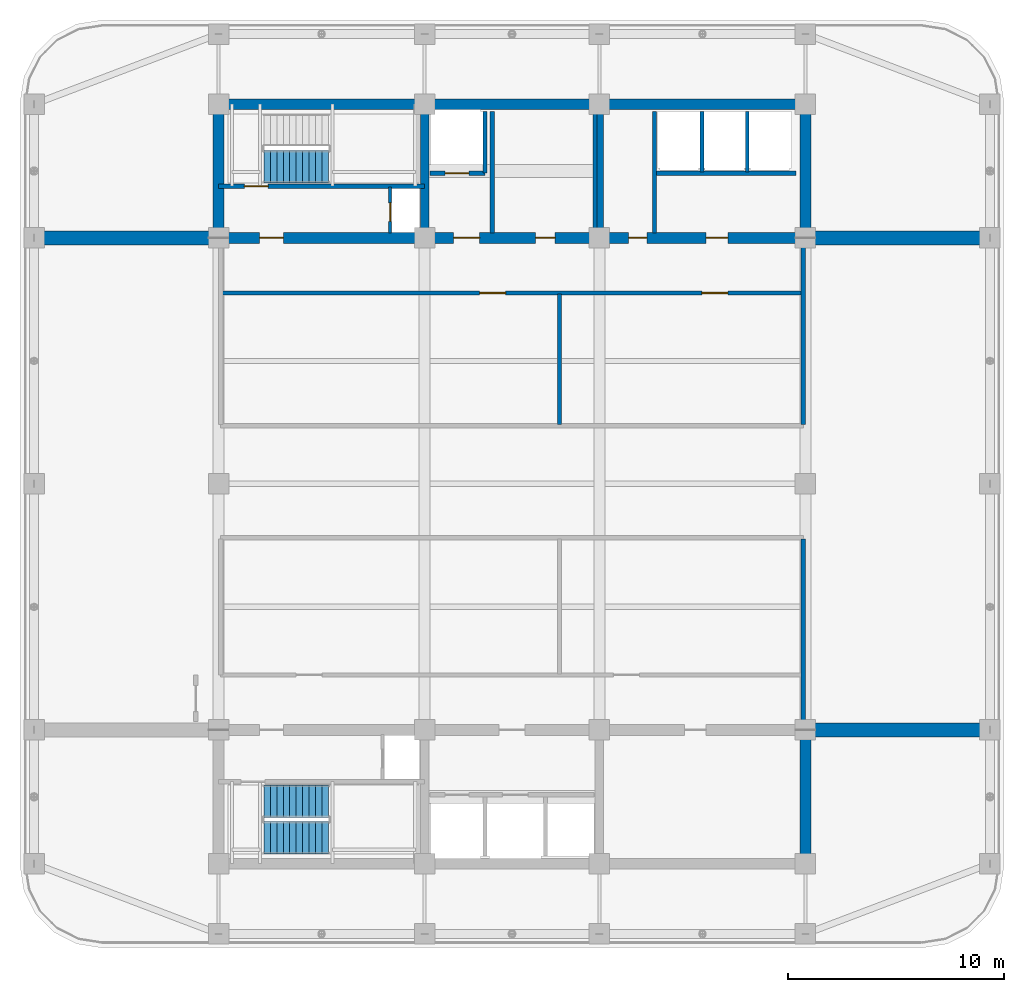
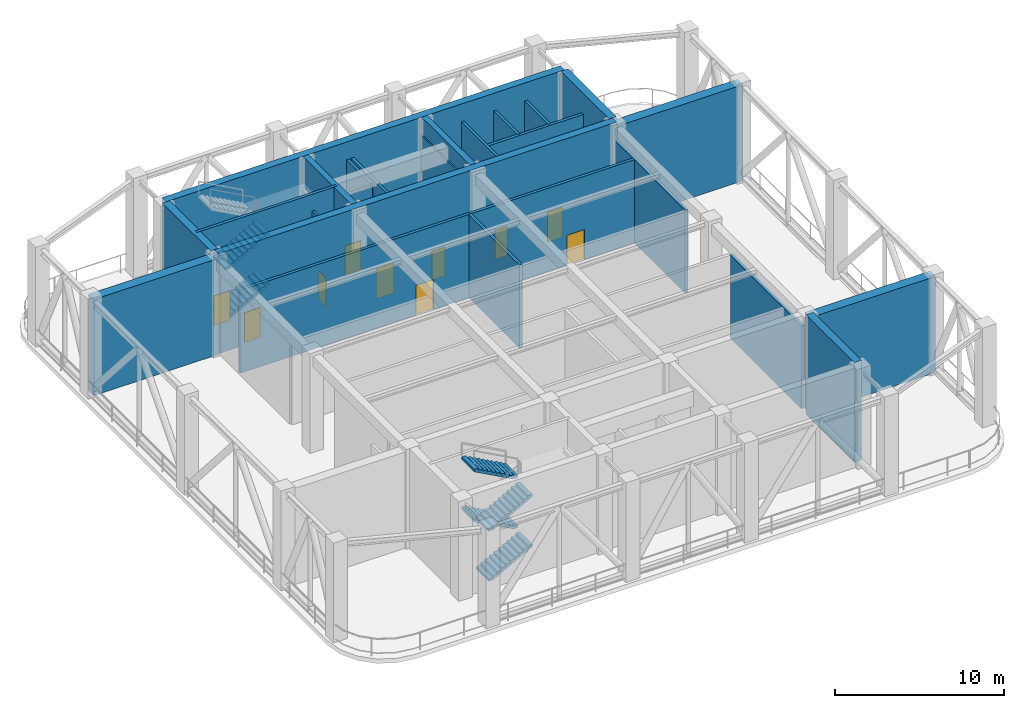
# One storey, part 10 of 20: 24 walls, 10 doors, 6 stair flights, 10 openings, 2 elements without a shape of their own.
"""IFC4 building model written with IfcOpenShell, lengths in metres."""

from ifc_helpers import new_model, si_unit, direction, frame, frame_2d, origin, place, context, subcontext, project, spatial, polyline, rectangle, outline, extrude, material, layer, layer_set, type_object, element, fill, aggregate, save


model = new_model("IFC4")

# Units and contexts
model_context = context("Model", 3, precision=1e-05, world=origin(), true_north=direction((0.0, 1.0)))
body_context = subcontext(model_context, "Body", "Model", "MODEL_VIEW")
ifc_project = project(units=[si_unit("LENGTHUNIT", "METRE"), si_unit("AREAUNIT", "SQUARE_METRE"), si_unit("VOLUMEUNIT", "CUBIC_METRE"), si_unit("PLANEANGLEUNIT", "RADIAN"), si_unit("MASSUNIT", "GRAM", prefix="KILO")], contexts=[model_context])

# Site, building, storey
site_placement = place(None, origin())
site = spatial("IfcSite", under=ifc_project, at=site_placement, CompositionType="ELEMENT")
building_placement = place(site_placement, origin())
building = spatial("IfcBuilding", under=site, at=building_placement, Name="Svetorya Sky Lyceum", CompositionType="ELEMENT")
storey_placement = place(building_placement, frame((0.0, 0.0, 195.89990234375)))
storey = spatial("IfcBuildingStorey", under=building, at=storey_placement, Name="L49", CompositionType="ELEMENT", Elevation=195.89990234375)

# Walls
ifc_material_1 = material(Name="Concrete C40/50", Category="concrete")
ifc_layer_1 = layer(ifc_material_1, 0.39990234375)
ifc_layer_set_1 = layer_set([ifc_layer_1], Name="Concrete C40/50")
wall_type_1 = type_object("IfcWallType", Name="WL-CORE-400", PredefinedType="SHEAR", material=ifc_layer_set_1)
for number, where, z_axis, x_axis, name in (
    (1, (35.14990234375, 39.85009765625, 0.0), (0.0, 0.0, 1.0), (0.0, 1.0, 0.0), "L49 NC Internal Shear Web WEB1"),
    (2, (43.25, 39.85009765625, 0.0), (0.0, 0.0, 1.0), (0.0, 1.0, 0.0), "L49 NC Internal Shear Web WEB2"),
):
    element("IfcWall", number, at=place(storey_placement, frame(where, z_axis=z_axis, x_axis=x_axis)), inside=storey, type_object=wall_type_1, Name=name, PredefinedType="SHEAR", context=body_context, shape_type="SweptSolid", body=[
        extrude(rectangle(XDim=5.699951171875, YDim=0.39990234375, at=frame_2d((2.85009765625, 0.0))), origin(), (0.0, 0.0, 1.0), 7.2001953125),
    ])
ifc_material_2 = material(Name="Concrete C50/60", Category="concrete")
ifc_layer_2 = layer(ifc_material_2, 0.5)
ifc_layer_set_2 = layer_set([ifc_layer_2], Name="Concrete C50/60")
wall_type_2 = type_object("IfcWallType", Name="WL-CORE-500", PredefinedType="SHEAR", material=ifc_layer_set_2)
wall_1_placement = place(storey_placement, frame((52.800048828125, 10.85009765625, 0.0), z_axis=(0.0, 0.0, 1.0), x_axis=(0.0, 1.0, 0.0)))
element("IfcWall", 3, at=wall_1_placement, inside=storey, type_object=wall_type_2, Name="L49 SC East Core Shear Wall", PredefinedType="SHEAR", context=body_context, shape_type="SweptSolid", body=[
    extrude(rectangle(XDim=5.699951171875, YDim=0.5, at=frame_2d((2.85009765625, 0.0))), origin(), (0.0, 0.0, 1.0), 7.2001953125),
])
wall_2_placement = place(storey_placement, frame((25.60009765625, 45.800048828125, 0.0), z_axis=(0.0, 0.0, 1.0), x_axis=(1.0, 0.0, 0.0)))
element("IfcWall", 4, at=wall_2_placement, inside=storey, type_object=wall_type_2, Name="L49 NC Outer Core Shear Wall", PredefinedType="SHEAR", context=body_context, shape_type="SweptSolid", body=[
    extrude(rectangle(XDim=27.199951171875, YDim=0.5, at=frame_2d((13.60009765625, 0.0))), origin(), (0.0, 0.0, 1.0), 7.2001953125),
])
for number, where, z_axis, x_axis, name in (
    (5, (25.60009765625, 39.85009765625, 0.0), (0.0, 0.0, 1.0), (0.0, 1.0, 0.0), "L49 NC West Core Shear Wall"),
    (6, (52.800048828125, 39.85009765625, 0.0), (0.0, 0.0, 1.0), (0.0, 1.0, 0.0), "L49 NC East Core Shear Wall"),
):
    element("IfcWall", number, at=place(storey_placement, frame(where, z_axis=z_axis, x_axis=x_axis)), inside=storey, type_object=wall_type_2, Name=name, PredefinedType="SHEAR", context=body_context, shape_type="SweptSolid", body=[
        extrude(rectangle(XDim=5.699951171875, YDim=0.5, at=frame_2d((2.85009765625, 0.0))), origin(), (0.0, 0.0, 1.0), 7.2001953125),
    ])

# Wall, openings, doors
wall_3_placement = place(storey_placement, frame((52.800048828125, 39.60009765625, 0.0), z_axis=(0.0, 0.0, 1.0), x_axis=(-1.0, 0.0, 0.0)))
wall_3 = element("IfcWall", 7, at=wall_3_placement, inside=storey, type_object=wall_type_2, Name="L49 NC Inner Core Shear Wall", PredefinedType="SHEAR", context=body_context, shape_type="SweptSolid", body=[
    extrude(rectangle(XDim=27.199951171875, YDim=0.5, at=frame_2d((13.60009765625, 0.0))), origin(), (0.0, 0.0, 1.0), 7.2001953125),
])
opening_1_placement = place(wall_3_placement, frame((24.199951171875, 0.0, 0.0)))
opening_1 = element("IfcOpeningElement", 8, at=opening_1_placement, cuts=wall_3, Name="Opening D-ST1", PredefinedType="OPENING", context=body_context, shape_type="SweptSolid", body=[
    extrude(rectangle(XDim=1.10009765625, YDim=2.14990234375, at=frame_2d((0.550048828125, 1.074951171875))), frame((0.0, 0.260009765625, 0.0), z_axis=(0.0, -1.0, 0.0), x_axis=(1.0, 0.0, 0.0)), (0.0, 0.0, 1.0), 0.52001953125),
])
opening_2_placement = place(wall_3_placement, frame((15.10009765625, 0.0, 0.0)))
opening_2 = element("IfcOpeningElement", 9, at=opening_2_placement, cuts=wall_3, Name="Opening D-FL1", PredefinedType="OPENING", context=body_context, shape_type="SweptSolid", body=[
    extrude(rectangle(XDim=1.199951171875, YDim=2.14990234375, at=frame_2d((0.60009765625, 1.074951171875))), frame((0.0, 0.260009765625, 0.0), z_axis=(0.0, -1.0, 0.0), x_axis=(1.0, 0.0, 0.0)), (0.0, 0.0, 1.0), 0.52001953125),
])
opening_3_placement = place(wall_3_placement, frame((11.60009765625, 0.0, 0.0)))
opening_3 = element("IfcOpeningElement", 10, at=opening_3_placement, cuts=wall_3, Name="Opening D-RM1", PredefinedType="OPENING", context=body_context, shape_type="SweptSolid", body=[
    extrude(rectangle(XDim=0.89990234375, YDim=2.10009765625, at=frame_2d((0.449951171875, 1.050048828125))), frame((0.0, 0.260009765625, 0.0), z_axis=(0.0, -1.0, 0.0), x_axis=(1.0, 0.0, 0.0)), (0.0, 0.0, 1.0), 0.52001953125),
])
opening_4_placement = place(wall_3_placement, frame((7.35009765625, 0.0, 0.0)))
opening_4 = element("IfcOpeningElement", 11, at=opening_4_placement, cuts=wall_3, Name="Opening D-CWC1", PredefinedType="OPENING", context=body_context, shape_type="SweptSolid", body=[
    extrude(rectangle(XDim=0.85009765625, YDim=2.10009765625, at=frame_2d((0.425048828125, 1.050048828125))), frame((0.0, 0.260009765625, 0.0), z_axis=(0.0, -1.0, 0.0), x_axis=(1.0, 0.0, 0.0)), (0.0, 0.0, 1.0), 0.52001953125),
])
opening_5_placement = place(wall_3_placement, frame((3.60009765625, 0.0, 0.0)))
opening_5 = element("IfcOpeningElement", 12, at=opening_5_placement, cuts=wall_3, Name="Opening D-RM2", PredefinedType="OPENING", context=body_context, shape_type="SweptSolid", body=[
    extrude(rectangle(XDim=1.0, YDim=2.14990234375, at=frame_2d((0.5, 1.074951171875))), frame((0.0, 0.260009765625, 0.0), z_axis=(0.0, -1.0, 0.0), x_axis=(1.0, 0.0, 0.0)), (0.0, 0.0, 1.0), 0.52001953125),
])
ifc_material_3 = material(Name="Fire-rated galvanized steel core service closet door", Category="steel")
door_type_1 = type_object("IfcDoorType", Name="DR-CWET-850", OperationType="SINGLE_SWING_LEFT", PredefinedType="DOOR", material=ifc_material_3)
door_1_placement = place(opening_4_placement, origin())
door_1 = element("IfcDoor", 13, at=door_1_placement, inside=storey, type_object=door_type_1, Name="L49 High-Zone Utility Room Door", OperationType="SINGLE_SWING_LEFT", OverallHeight=2.10009765625, OverallWidth=0.85009765625, PredefinedType="DOOR", context=body_context, shape_type="SweptSolid", body=[
    extrude(rectangle(XDim=0.85009765625, YDim=2.10009765625, at=frame_2d((0.425048828125, 1.050048828125))), frame((0.0, 0.02490234375, 0.0), z_axis=(0.0, -1.0, 0.0), x_axis=(1.0, 0.0, 0.0)), (0.0, 0.0, 1.0), 0.050048828125),
])
fill(opening_4, door_1)
ifc_material_4 = material(Name="Powder-coated insulated galvanized stair fire door")
door_type_2 = type_object("IfcDoorType", Name="DR-FIRE-1100", OperationType="SINGLE_SWING_LEFT", PredefinedType="DOOR", material=ifc_material_4)
door_2_placement = place(opening_1_placement, origin())
door_2 = element("IfcDoor", 14, at=door_2_placement, inside=storey, type_object=door_type_2, Name="L49 North Stair Airlock Door", OperationType="SINGLE_SWING_LEFT", OverallHeight=2.14990234375, OverallWidth=1.10009765625, PredefinedType="DOOR", context=body_context, shape_type="SweptSolid", body=[
    extrude(rectangle(XDim=1.10009765625, YDim=2.14990234375, at=frame_2d((0.550048828125, 1.074951171875))), frame((0.0, 0.02490234375, 0.0), z_axis=(0.0, -1.0, 0.0), x_axis=(1.0, 0.0, 0.0)), (0.0, 0.0, 1.0), 0.050048828125),
])
fill(opening_1, door_2)
ifc_material_5 = material(Name="Powder-coated insulated galvanized fire door")
door_type_3 = type_object("IfcDoorType", Name="DR-FIRE-1200", OperationType="SINGLE_SWING_LEFT", PredefinedType="DOOR", material=ifc_material_5)
door_3_placement = place(opening_2_placement, origin())
door_3 = element("IfcDoor", 15, at=door_3_placement, inside=storey, type_object=door_type_3, Name="L49 North Firefighting Lift Lobby Door", OperationType="SINGLE_SWING_RIGHT", OverallHeight=2.14990234375, OverallWidth=1.199951171875, PredefinedType="DOOR", context=body_context, shape_type="SweptSolid", body=[
    extrude(rectangle(XDim=1.199951171875, YDim=2.14990234375, at=frame_2d((0.60009765625, 1.074951171875))), frame((0.0, 0.02490234375, 0.0), z_axis=(0.0, -1.0, 0.0), x_axis=(1.0, 0.0, 0.0)), (0.0, 0.0, 1.0), 0.050048828125),
])
fill(opening_2, door_3)
ifc_material_6 = material(Name="Solid-core oak acoustic room door")
door_type_4 = type_object("IfcDoorType", Name="DR-INT-1000", OperationType="SINGLE_SWING_LEFT", PredefinedType="DOOR", material=ifc_material_6)
door_4_placement = place(opening_5_placement, origin())
door_4 = element("IfcDoor", 16, at=door_4_placement, inside=storey, type_object=door_type_4, Name="L49 North Trunk Store Door", OperationType="SINGLE_SWING_LEFT", OverallHeight=2.14990234375, OverallWidth=1.0, PredefinedType="DOOR", context=body_context, shape_type="SweptSolid", body=[
    extrude(rectangle(XDim=1.0, YDim=2.14990234375, at=frame_2d((0.5, 1.074951171875))), frame((0.0, 0.02490234375, 0.0), z_axis=(0.0, -1.0, 0.0), x_axis=(1.0, 0.0, 0.0)), (0.0, 0.0, 1.0), 0.050048828125),
])
fill(opening_5, door_4)
ifc_material_7 = material(Name="Lacquered birch veneer internal door")
door_type_5 = type_object("IfcDoorType", Name="DR-INT-900", OperationType="SINGLE_SWING_LEFT", PredefinedType="DOOR", material=ifc_material_7)
door_5_placement = place(opening_3_placement, origin())
door_5 = element("IfcDoor", 17, at=door_5_placement, inside=storey, type_object=door_type_5, Name="L49 Upper Archive Door", OperationType="SINGLE_SWING_LEFT", OverallHeight=2.10009765625, OverallWidth=0.89990234375, PredefinedType="DOOR", context=body_context, shape_type="SweptSolid", body=[
    extrude(rectangle(XDim=0.89990234375, YDim=2.10009765625, at=frame_2d((0.449951171875, 1.050048828125))), frame((0.0, 0.02490234375, 0.0), z_axis=(0.0, -1.0, 0.0), x_axis=(1.0, 0.0, 0.0)), (0.0, 0.0, 1.0), 0.050048828125),
])
fill(opening_3, door_5)

# Walls
ifc_material_8 = material(Name="Concrete C60/75", Category="concrete")
ifc_layer_3 = layer(ifc_material_8, 0.64990234375)
ifc_layer_set_3 = layer_set([ifc_layer_3], Name="Concrete C60/75")
wall_type_3 = type_object("IfcWallType", Name="WL-OUTRIGGER-650", PredefinedType="SHEAR", material=ifc_layer_set_3)
for number, where, z_axis, x_axis, name in (
    (18, (52.800048828125, 16.800048828125, 0.0), (0.0, 0.0, 1.0), (1.0, 0.0, 0.0), "L49 Concrete Outrigger Wall SE"),
    (19, (17.050048828125, 39.60009765625, 0.0), (0.0, 0.0, 1.0), (1.0, 0.0, 0.0), "L49 Concrete Outrigger Wall NW"),
    (20, (52.800048828125, 39.60009765625, 0.0), (0.0, 0.0, 1.0), (1.0, 0.0, 0.0), "L49 Concrete Outrigger Wall NE"),
):
    element("IfcWall", number, at=place(storey_placement, frame(where, z_axis=z_axis, x_axis=x_axis)), inside=storey, type_object=wall_type_3, Name=name, PredefinedType="SHEAR", context=body_context, shape_type="SweptSolid", body=[
        extrude(rectangle(XDim=8.550048828125, YDim=0.64990234375, at=frame_2d((4.27490234375, 0.0))), origin(), (0.0, 0.0, 1.0), 6.940185546875),
    ])

# Wall, opening, door
ifc_material_9 = material(Name="Autoclaved cellular masonry blockwork with acoustic render", Category="masonry")
ifc_layer_4 = layer(ifc_material_9, 0.14990234375)
ifc_layer_set_4 = layer_set([ifc_layer_4], Name="Autoclaved cellular masonry blockwork with acoustic render")
wall_type_4 = type_object("IfcWallType", Name="WL-PART-150", PredefinedType="PARTITIONING", material=ifc_layer_set_4)
wall_4_placement = place(storey_placement, frame((33.550048828125, 39.820068359375, 0.0), z_axis=(0.0, 0.0, 1.0), x_axis=(0.0, 1.0, 0.0)))
wall_4 = element("IfcWall", 21, at=wall_4_placement, inside=storey, type_object=wall_type_4, Name="L49 Interior Partition NC-RSRW", PredefinedType="PARTITIONING", context=body_context, shape_type="SweptSolid", body=[
    extrude(rectangle(XDim=2.1298828125, YDim=0.14990234375, at=frame_2d((1.06494140625, 0.0))), origin(), (0.0, 0.0, 1.0), 6.0),
])
opening_6_placement = place(wall_4_placement, frame((0.550048828125, 0.0, 0.0)))
opening_6 = element("IfcOpeningElement", 22, at=opening_6_placement, cuts=wall_4, Name="Opening D-SH1", PredefinedType="OPENING", context=body_context, shape_type="SweptSolid", body=[
    extrude(rectangle(XDim=0.85009765625, YDim=2.050048828125, at=frame_2d((0.425048828125, 1.02490234375))), frame((0.0, 0.0849609375, 0.0), z_axis=(0.0, -1.0, 0.0), x_axis=(1.0, 0.0, 0.0)), (0.0, 0.0, 1.0), 0.169921875),
])
ifc_material_10 = material(Name="Insulated galvanized riser inspection fire door")
door_type_6 = type_object("IfcDoorType", Name="DR-SHFT-850", OperationType="SINGLE_SWING_LEFT", PredefinedType="TRAPDOOR", material=ifc_material_10)
door_6_placement = place(opening_6_placement, origin())
door_6 = element("IfcDoor", 23, at=door_6_placement, inside=storey, type_object=door_type_6, Name="L49 North Riser Access Door", OperationType="SINGLE_SWING_LEFT", OverallHeight=2.050048828125, OverallWidth=0.85009765625, PredefinedType="TRAPDOOR", context=body_context, shape_type="SweptSolid", body=[
    extrude(rectangle(XDim=0.85009765625, YDim=2.050048828125, at=frame_2d((0.425048828125, 1.02490234375))), frame((0.0, 0.02490234375, 0.0), z_axis=(0.0, -1.0, 0.0), x_axis=(1.0, 0.0, 0.0)), (0.0, 0.0, 1.0), 0.050048828125),
])
fill(opening_6, door_6)

# Walls
ifc_material_11 = material(Name="Autoclaved cellular masonry blockwork with fire render", Category="masonry")
ifc_layer_5 = layer(ifc_material_11, 0.175048828125)
ifc_layer_set_5 = layer_set([ifc_layer_5], Name="Autoclaved cellular masonry blockwork with fire render")
wall_type_5 = type_object("IfcWallType", Name="WL-PART-175", PredefinedType="PARTITIONING", material=ifc_layer_set_5)
wall_5_placement = place(storey_placement, frame((37.949951171875, 42.60009765625, 0.0), z_axis=(0.0, 0.0, 1.0), x_axis=(0.0, 1.0, 0.0)))
element("IfcWall", 24, at=wall_5_placement, inside=storey, type_object=wall_type_5, Name="L49 Interior Partition NC-FL1SIDE", PredefinedType="PARTITIONING", context=body_context, shape_type="SweptSolid", body=[
    extrude(rectangle(XDim=2.849853515625, YDim=0.175048828125, at=frame_2d((1.4248046875, 0.0))), origin(), (0.0, 0.0, 1.0), 6.0),
])
for number, where, z_axis, x_axis, name in (
    (25, (43.050048828125, 39.820068359375, 0.0), (0.0, 0.0, 1.0), (0.0, 1.0, 0.0), "L49 Interior Partition NC-FPM-END"),
    (26, (45.800048828125, 39.820068359375, 0.0), (0.0, 0.0, 1.0), (0.0, 1.0, 0.0), "L49 Interior Partition NC-PM3-FULL"),
):
    element("IfcWall", number, at=place(storey_placement, frame(where, z_axis=z_axis, x_axis=x_axis)), inside=storey, type_object=wall_type_5, Name=name, PredefinedType="PARTITIONING", context=body_context, shape_type="SweptSolid", body=[
        extrude(rectangle(XDim=5.6298828125, YDim=0.175048828125, at=frame_2d((2.81494140625, 0.0))), origin(), (0.0, 0.0, 1.0), 6.0),
    ])
for number, where, z_axis, x_axis, name in (
    (27, (48.0, 42.64990234375, 0.0), (0.0, 0.0, 1.0), (0.0, 1.0, 0.0), "L49 Interior Partition NC-PH-D1"),
    (28, (50.10009765625, 42.64990234375, 0.0), (0.0, 0.0, 1.0), (0.0, 1.0, 0.0), "L49 Interior Partition NC-PH-D2"),
):
    element("IfcWall", number, at=place(storey_placement, frame(where, z_axis=z_axis, x_axis=x_axis)), inside=storey, type_object=wall_type_5, Name=name, PredefinedType="PARTITIONING", context=body_context, shape_type="SweptSolid", body=[
        extrude(rectangle(XDim=2.800048828125, YDim=0.175048828125, at=frame_2d((1.39990234375, 0.0))), origin(), (0.0, 0.0, 1.0), 6.0),
    ])

# Wall, opening, door
ifc_material_12 = material(Name="Autoclaved cellular masonry blockwork with gypsum plaster", Category="masonry")
ifc_layer_6 = layer(ifc_material_12, 0.199951171875)
ifc_layer_set_6 = layer_set([ifc_layer_6], Name="Autoclaved cellular masonry blockwork with gypsum plaster")
wall_type_6 = type_object("IfcWallType", Name="WL-PART-200", PredefinedType="PARTITIONING", material=ifc_layer_set_6)
wall_6_placement = place(storey_placement, frame((37.949951171875, 42.60009765625, 0.0), z_axis=(0.0, 0.0, 1.0), x_axis=(-1.0, 0.0, 0.0)))
wall_6 = element("IfcWall", 29, at=wall_6_placement, inside=storey, type_object=wall_type_6, Name="L49 Interior Partition NC-FL1W", PredefinedType="PARTITIONING", context=body_context, shape_type="SweptSolid", body=[
    extrude(rectangle(XDim=2.550048828125, YDim=0.199951171875, at=frame_2d((1.27490234375, 0.0))), origin(), (0.0, 0.0, 1.0), 5.820068359375),
])
opening_7_placement = place(wall_6_placement, frame((0.75, 0.0, 0.0)))
opening_7 = element("IfcOpeningElement", 30, at=opening_7_placement, cuts=wall_6, Name="Opening LD-FL", PredefinedType="OPENING", context=body_context, shape_type="SweptSolid", body=[
    extrude(rectangle(XDim=1.10009765625, YDim=2.14990234375, at=frame_2d((0.550048828125, 1.074951171875))), frame((0.0, 0.10986328125, 0.0), z_axis=(0.0, -1.0, 0.0), x_axis=(1.0, 0.0, 0.0)), (0.0, 0.0, 1.0), 0.219970703125),
])
ifc_material_13 = material(Name="Fire-rated stainless AISI 304 firefighting lift landing door")
door_type_7 = type_object("IfcDoorType", Name="DR-LIFT-1100", OperationType="SLIDING_TO_LEFT", PredefinedType="DOOR", material=ifc_material_13)
door_7_placement = place(opening_7_placement, origin())
door_7 = element("IfcDoor", 31, at=door_7_placement, inside=storey, type_object=door_type_7, Name="L49 Firefighting Lift FL1 Landing Door", OperationType="SLIDING_TO_LEFT", OverallHeight=2.14990234375, OverallWidth=1.10009765625, PredefinedType="DOOR", context=body_context, shape_type="SweptSolid", body=[
    extrude(rectangle(XDim=1.10009765625, YDim=2.14990234375, at=frame_2d((0.550048828125, 1.074951171875))), frame((0.0, 0.02490234375, 0.0), z_axis=(0.0, -1.0, 0.0), x_axis=(1.0, 0.0, 0.0)), (0.0, 0.0, 1.0), 0.050048828125),
])
fill(opening_7, door_7)

# Walls
wall_7_placement = place(storey_placement, frame((38.280029296875, 39.820068359375, 0.0), z_axis=(0.0, 0.0, 1.0), x_axis=(0.0, 1.0, 0.0)))
element("IfcWall", 32, at=wall_7_placement, inside=storey, type_object=wall_type_6, Name="L49 Interior Partition NC-FFLDIV", PredefinedType="PARTITIONING", context=body_context, shape_type="SweptSolid", body=[
    extrude(rectangle(XDim=5.6298828125, YDim=0.199951171875, at=frame_2d((2.81494140625, 0.0))), origin(), (0.0, 0.0, 1.0), 6.0),
])
wall_8_placement = place(storey_placement, frame((52.35009765625, 42.60009765625, 0.0), z_axis=(0.0, 0.0, 1.0), x_axis=(-1.0, 0.0, 0.0)))
element("IfcWall", 33, at=wall_8_placement, inside=storey, type_object=wall_type_6, Name="L49 Interior Partition NC-PHEW", PredefinedType="PARTITIONING", context=body_context, shape_type="SweptSolid", body=[
    extrude(rectangle(XDim=6.5, YDim=0.199951171875, at=frame_2d((3.25, 0.0))), origin(), (0.0, 0.0, 1.0), 6.0),
])
wall_9_placement = place(storey_placement, frame((52.699951171875, 17.199951171875, 0.0), z_axis=(0.0, 0.0, 1.0), x_axis=(0.0, 1.0, 0.0)))
element("IfcWall", 34, at=wall_9_placement, inside=storey, type_object=wall_type_6, Name="L49 Interior Partition REF-E-END", PredefinedType="PARTITIONING", context=body_context, shape_type="SweptSolid", body=[
    extrude(rectangle(XDim=8.449951171875, YDim=0.199951171875, at=frame_2d((4.22509765625, 0.0))), origin(), (0.0, 0.0, 1.0), 6.0),
])

# Wall, openings, doors
wall_10_placement = place(storey_placement, frame((52.699951171875, 37.050048828125, 0.0), z_axis=(0.0, 0.0, 1.0), x_axis=(-1.0, 0.0, 0.0)))
wall_10 = element("IfcWall", 35, at=wall_10_placement, inside=storey, type_object=wall_type_6, Name="L49 Interior Partition PLT-N-IN", PredefinedType="PARTITIONING", context=body_context, shape_type="SweptSolid", body=[
    extrude(rectangle(XDim=27.0, YDim=0.199951171875, at=frame_2d((13.5, 0.0))), origin(), (0.0, 0.0, 1.0), 6.0),
])
opening_8_placement = place(wall_10_placement, frame((3.5, 0.0, 0.0)))
opening_8 = element("IfcOpeningElement", 36, at=opening_8_placement, cuts=wall_10, Name="Opening D-FL1", PredefinedType="OPENING", context=body_context, shape_type="SweptSolid", body=[
    extrude(rectangle(XDim=1.199951171875, YDim=2.14990234375, at=frame_2d((0.60009765625, 1.074951171875))), frame((0.0, 0.10986328125, 0.0), z_axis=(0.0, -1.0, 0.0), x_axis=(1.0, 0.0, 0.0)), (0.0, 0.0, 1.0), 0.219970703125),
])
opening_9_placement = place(wall_10_placement, frame((13.800048828125, 0.0, 0.0)))
opening_9 = element("IfcOpeningElement", 37, at=opening_9_placement, cuts=wall_10, Name="Opening D-FL1", PredefinedType="OPENING", context=body_context, shape_type="SweptSolid", body=[
    extrude(rectangle(XDim=1.199951171875, YDim=2.14990234375, at=frame_2d((0.60009765625, 1.074951171875))), frame((0.0, 0.10986328125, 0.0), z_axis=(0.0, -1.0, 0.0), x_axis=(1.0, 0.0, 0.0)), (0.0, 0.0, 1.0), 0.219970703125),
])
door_8_placement = place(opening_8_placement, origin())
door_8 = element("IfcDoor", 38, at=door_8_placement, inside=storey, type_object=door_type_3, Name="L49 Smoke Plant Door", OperationType="SINGLE_SWING_LEFT", OverallHeight=2.14990234375, OverallWidth=1.199951171875, PredefinedType="DOOR", context=body_context, shape_type="SweptSolid", body=[
    extrude(rectangle(XDim=1.199951171875, YDim=2.14990234375, at=frame_2d((0.60009765625, 1.074951171875))), frame((0.0, 0.02490234375, 0.0), z_axis=(0.0, -1.0, 0.0), x_axis=(1.0, 0.0, 0.0)), (0.0, 0.0, 1.0), 0.050048828125),
])
fill(opening_8, door_8)
door_9_placement = place(opening_9_placement, origin())
door_9 = element("IfcDoor", 39, at=door_9_placement, inside=storey, type_object=door_type_3, Name="L49 Heat Exchanger Door", OperationType="SINGLE_SWING_RIGHT", OverallHeight=2.14990234375, OverallWidth=1.199951171875, PredefinedType="DOOR", context=body_context, shape_type="SweptSolid", body=[
    extrude(rectangle(XDim=1.199951171875, YDim=2.14990234375, at=frame_2d((0.60009765625, 1.074951171875))), frame((0.0, 0.02490234375, 0.0), z_axis=(0.0, -1.0, 0.0), x_axis=(1.0, 0.0, 0.0)), (0.0, 0.0, 1.0), 0.050048828125),
])
fill(opening_9, door_9)

# Walls
wall_11_placement = place(storey_placement, frame((41.39990234375, 30.949951171875, 0.0), z_axis=(0.0, 0.0, 1.0), x_axis=(0.0, 1.0, 0.0)))
element("IfcWall", 40, at=wall_11_placement, inside=storey, type_object=wall_type_6, Name="L49 Interior Partition PLT-N-MID", PredefinedType="PARTITIONING", context=body_context, shape_type="SweptSolid", body=[
    extrude(rectangle(XDim=6.050048828125, YDim=0.199951171875, at=frame_2d((3.02490234375, 0.0))), origin(), (0.0, 0.0, 1.0), 6.0),
])
wall_12_placement = place(storey_placement, frame((52.699951171875, 30.949951171875, 0.0), z_axis=(0.0, 0.0, 1.0), x_axis=(0.0, 1.0, 0.0)))
element("IfcWall", 41, at=wall_12_placement, inside=storey, type_object=wall_type_6, Name="L49 Interior Partition PLT-NE-END", PredefinedType="PARTITIONING", context=body_context, shape_type="SweptSolid", body=[
    extrude(rectangle(XDim=8.25, YDim=0.199951171875, at=frame_2d((4.125, 0.0))), origin(), (0.0, 0.0, 1.0), 6.0),
])

# Wall, opening, door
ifc_layer_7 = layer(ifc_material_2, 0.199951171875)
ifc_layer_set_7 = layer_set([ifc_layer_7], Name="Concrete C50/60")
wall_type_7 = type_object("IfcWallType", Name="WL-SHW-200", PredefinedType="SHEAR", material=ifc_layer_set_7)
wall_13_placement = place(storey_placement, frame((35.14990234375, 42.0, 0.0), z_axis=(0.0, 0.0, 1.0), x_axis=(-1.0, 0.0, 0.0)))
wall_13 = element("IfcWall", 42, at=wall_13_placement, inside=storey, type_object=wall_type_7, Name="L49 Structural Stair Shaft Wall NC-STW", PredefinedType="SHEAR", context=body_context, shape_type="SweptSolid", body=[
    extrude(rectangle(XDim=9.5498046875, YDim=0.199951171875, at=frame_2d((4.77490234375, 0.0))), origin(), (0.0, 0.0, 1.0), 7.2001953125),
])
opening_10_placement = place(wall_13_placement, frame((7.25, 0.0, 0.0)))
opening_10 = element("IfcOpeningElement", 43, at=opening_10_placement, cuts=wall_13, Name="Opening D-ST1", PredefinedType="OPENING", context=body_context, shape_type="SweptSolid", body=[
    extrude(rectangle(XDim=1.10009765625, YDim=2.14990234375, at=frame_2d((0.550048828125, 1.074951171875))), frame((0.0, 0.10986328125, 0.0), z_axis=(0.0, -1.0, 0.0), x_axis=(1.0, 0.0, 0.0)), (0.0, 0.0, 1.0), 0.219970703125),
])
door_10_placement = place(opening_10_placement, origin())
door_10 = element("IfcDoor", 44, at=door_10_placement, inside=storey, type_object=door_type_2, Name="L49 Stair ST-N Vestibule Fire Door", OperationType="SINGLE_SWING_RIGHT", OverallHeight=2.14990234375, OverallWidth=1.10009765625, PredefinedType="DOOR", context=body_context, shape_type="SweptSolid", body=[
    extrude(rectangle(XDim=1.10009765625, YDim=2.14990234375, at=frame_2d((0.550048828125, 1.074951171875))), frame((0.0, 0.02490234375, 0.0), z_axis=(0.0, -1.0, 0.0), x_axis=(1.0, 0.0, 0.0)), (0.0, 0.0, 1.0), 0.050048828125),
])
fill(opening_10, door_10)

# Stair, stair flights
stair_type_1 = type_object("IfcStairType", Name="STR-ST-N", PredefinedType="HALF_TURN_STAIR", material=ifc_material_1)
stair_1_placement = place(storey_placement, origin())
stair_1 = element("IfcStair", 45, at=stair_1_placement, inside=storey, type_object=stair_type_1, Name="L49 North Core Smoke-Free Exit Stair N3", PredefinedType="HALF_TURN_STAIR")
stair_flight_type_1 = type_object("IfcStairFlightType", Name="SFL-ST-N", PredefinedType="STRAIGHT", material=ifc_material_1)
stair_flight_1_placement = place(storey_placement, frame((27.699951171875, 42.89990234375, 0.0), z_axis=(0.0, 0.0, 1.0), x_axis=(1.0, 0.0, 0.0)))
stair_flight_1 = element("IfcStairFlight", 46, at=stair_flight_1_placement, type_object=stair_flight_type_1, Name="ST-N flight 1", NumberOfRisers=11, NumberOfTreads=10, PredefinedType="STRAIGHT", RiserHeight=0.163636364, TreadLength=0.3, context=body_context, shape_type="SweptSolid", body=[
    extrude(outline(polyline([(0.0, 0.0), (0.0, 0.16357421875), (0.300048828125, 0.16357421875), (0.300048828125, 0.327392578125), (0.60009765625, 0.327392578125), (0.60009765625, 0.490966796875), (0.89990234375, 0.490966796875), (0.89990234375, 0.654541015625), (1.199951171875, 0.654541015625), (1.199951171875, 0.818115234375), (1.5, 0.818115234375), (1.5, 0.98193359375), (1.800048828125, 0.98193359375), (1.800048828125, 1.1455078125), (2.10009765625, 1.1455078125), (2.10009765625, 1.30908203125), (2.39990234375, 1.30908203125), (2.39990234375, 1.47265625), (2.699951171875, 1.47265625), (2.699951171875, 1.636474609375), (3.0, 1.636474609375), (3.0, 1.800048828125), (3.0, 1.465576171875), (0.31298828125, 0.0), (0.0, 0.0)])), frame((0.0, 0.75, 0.0), z_axis=(0.0, -1.0, 0.0), x_axis=(1.0, 0.0, 0.0)), (0.0, 0.0, 1.0), 1.5),
])
stair_flight_2_placement = place(storey_placement, frame((27.699951171875, 42.89990234375, 3.60009765625), z_axis=(0.0, 0.0, 1.0), x_axis=(1.0, 0.0, 0.0)))
stair_flight_2 = element("IfcStairFlight", 47, at=stair_flight_2_placement, type_object=stair_flight_type_1, Name="ST-N flight 3", NumberOfRisers=11, NumberOfTreads=10, PredefinedType="STRAIGHT", RiserHeight=0.163636364, TreadLength=0.3, context=body_context, shape_type="SweptSolid", body=[
    extrude(outline(polyline([(0.0, 0.0), (0.0, 0.16357421875), (0.300048828125, 0.16357421875), (0.300048828125, 0.327392578125), (0.60009765625, 0.327392578125), (0.60009765625, 0.490966796875), (0.89990234375, 0.490966796875), (0.89990234375, 0.654541015625), (1.199951171875, 0.654541015625), (1.199951171875, 0.818115234375), (1.5, 0.818115234375), (1.5, 0.98193359375), (1.800048828125, 0.98193359375), (1.800048828125, 1.1455078125), (2.10009765625, 1.1455078125), (2.10009765625, 1.30908203125), (2.39990234375, 1.30908203125), (2.39990234375, 1.47265625), (2.699951171875, 1.47265625), (2.699951171875, 1.636474609375), (3.0, 1.636474609375), (3.0, 1.800048828125), (3.0, 1.465576171875), (0.31298828125, 0.0), (0.0, 0.0)])), frame((0.0, 0.75, 0.0), z_axis=(0.0, -1.0, 0.0), x_axis=(1.0, 0.0, 0.0)), (0.0, 0.0, 1.0), 1.5),
])
aggregate(stair_1, [stair_flight_1, stair_flight_2])

stair_type_2 = type_object("IfcStairType", Name="STR-ST-S", PredefinedType="HALF_TURN_STAIR", material=ifc_material_1)
stair_2_placement = place(storey_placement, origin())
stair_2 = element("IfcStair", 48, at=stair_2_placement, inside=storey, type_object=stair_type_2, Name="L49 South Core Smoke-Free Exit Stair N2", PredefinedType="HALF_TURN_STAIR")
stair_flight_type_2 = type_object("IfcStairFlightType", Name="SFL-ST-S", PredefinedType="STRAIGHT", material=ifc_material_1)
stair_flight_3_placement = place(storey_placement, frame((27.699951171875, 11.800048828125, 0.0), z_axis=(0.0, 0.0, 1.0), x_axis=(1.0, 0.0, 0.0)))
stair_flight_3 = element("IfcStairFlight", 49, at=stair_flight_3_placement, type_object=stair_flight_type_2, Name="ST-S flight 1", NumberOfRisers=11, NumberOfTreads=10, PredefinedType="STRAIGHT", RiserHeight=0.163636364, TreadLength=0.3, context=body_context, shape_type="SweptSolid", body=[
    extrude(outline(polyline([(0.0, 0.0), (0.0, 0.16357421875), (0.300048828125, 0.16357421875), (0.300048828125, 0.327392578125), (0.60009765625, 0.327392578125), (0.60009765625, 0.490966796875), (0.89990234375, 0.490966796875), (0.89990234375, 0.654541015625), (1.199951171875, 0.654541015625), (1.199951171875, 0.818115234375), (1.5, 0.818115234375), (1.5, 0.98193359375), (1.800048828125, 0.98193359375), (1.800048828125, 1.1455078125), (2.10009765625, 1.1455078125), (2.10009765625, 1.30908203125), (2.39990234375, 1.30908203125), (2.39990234375, 1.47265625), (2.699951171875, 1.47265625), (2.699951171875, 1.636474609375), (3.0, 1.636474609375), (3.0, 1.800048828125), (3.0, 1.465576171875), (0.31298828125, 0.0), (0.0, 0.0)])), frame((0.0, 0.75, 0.0), z_axis=(0.0, -1.0, 0.0), x_axis=(1.0, 0.0, 0.0)), (0.0, 0.0, 1.0), 1.5),
])
stair_flight_4_placement = place(storey_placement, frame((30.699951171875, 13.5, 1.800048828125), z_axis=(0.0, 0.0, 1.0), x_axis=(-1.0, 0.0, 0.0)))
stair_flight_4 = element("IfcStairFlight", 50, at=stair_flight_4_placement, type_object=stair_flight_type_2, Name="ST-S flight 2", NumberOfRisers=11, NumberOfTreads=10, PredefinedType="STRAIGHT", RiserHeight=0.163636364, TreadLength=0.3, context=body_context, shape_type="SweptSolid", body=[
    extrude(outline(polyline([(0.0, 0.0), (0.0, 0.16357421875), (0.300048828125, 0.16357421875), (0.300048828125, 0.327392578125), (0.60009765625, 0.327392578125), (0.60009765625, 0.490966796875), (0.89990234375, 0.490966796875), (0.89990234375, 0.654541015625), (1.199951171875, 0.654541015625), (1.199951171875, 0.818115234375), (1.5, 0.818115234375), (1.5, 0.98193359375), (1.800048828125, 0.98193359375), (1.800048828125, 1.1455078125), (2.10009765625, 1.1455078125), (2.10009765625, 1.30908203125), (2.39990234375, 1.30908203125), (2.39990234375, 1.47265625), (2.699951171875, 1.47265625), (2.699951171875, 1.636474609375), (3.0, 1.636474609375), (3.0, 1.800048828125), (3.0, 1.465576171875), (0.31298828125, 0.0), (0.0, 0.0)])), frame((0.0, 0.75, 0.0), z_axis=(0.0, -1.0, 0.0), x_axis=(1.0, 0.0, 0.0)), (0.0, 0.0, 1.0), 1.5),
])
stair_flight_5_placement = place(storey_placement, frame((27.699951171875, 11.800048828125, 3.60009765625), z_axis=(0.0, 0.0, 1.0), x_axis=(1.0, 0.0, 0.0)))
stair_flight_5 = element("IfcStairFlight", 51, at=stair_flight_5_placement, type_object=stair_flight_type_2, Name="ST-S flight 3", NumberOfRisers=11, NumberOfTreads=10, PredefinedType="STRAIGHT", RiserHeight=0.163636364, TreadLength=0.3, context=body_context, shape_type="SweptSolid", body=[
    extrude(outline(polyline([(0.0, 0.0), (0.0, 0.16357421875), (0.300048828125, 0.16357421875), (0.300048828125, 0.327392578125), (0.60009765625, 0.327392578125), (0.60009765625, 0.490966796875), (0.89990234375, 0.490966796875), (0.89990234375, 0.654541015625), (1.199951171875, 0.654541015625), (1.199951171875, 0.818115234375), (1.5, 0.818115234375), (1.5, 0.98193359375), (1.800048828125, 0.98193359375), (1.800048828125, 1.1455078125), (2.10009765625, 1.1455078125), (2.10009765625, 1.30908203125), (2.39990234375, 1.30908203125), (2.39990234375, 1.47265625), (2.699951171875, 1.47265625), (2.699951171875, 1.636474609375), (3.0, 1.636474609375), (3.0, 1.800048828125), (3.0, 1.465576171875), (0.31298828125, 0.0), (0.0, 0.0)])), frame((0.0, 0.75, 0.0), z_axis=(0.0, -1.0, 0.0), x_axis=(1.0, 0.0, 0.0)), (0.0, 0.0, 1.0), 1.5),
])
stair_flight_6_placement = place(storey_placement, frame((30.699951171875, 13.5, 5.400146484375), z_axis=(0.0, 0.0, 1.0), x_axis=(-1.0, 0.0, 0.0)))
stair_flight_6 = element("IfcStairFlight", 52, at=stair_flight_6_placement, type_object=stair_flight_type_2, Name="ST-S flight 4", NumberOfRisers=11, NumberOfTreads=10, PredefinedType="STRAIGHT", RiserHeight=0.163636364, TreadLength=0.3, context=body_context, shape_type="SweptSolid", body=[
    extrude(outline(polyline([(0.0, 0.0), (0.0, 0.16357421875), (0.300048828125, 0.16357421875), (0.300048828125, 0.327392578125), (0.60009765625, 0.327392578125), (0.60009765625, 0.490966796875), (0.89990234375, 0.490966796875), (0.89990234375, 0.654541015625), (1.199951171875, 0.654541015625), (1.199951171875, 0.818115234375), (1.5, 0.818115234375), (1.5, 0.98193359375), (1.800048828125, 0.98193359375), (1.800048828125, 1.1455078125), (2.10009765625, 1.1455078125), (2.10009765625, 1.30908203125), (2.39990234375, 1.30908203125), (2.39990234375, 1.47265625), (2.699951171875, 1.47265625), (2.699951171875, 1.636474609375), (3.0, 1.636474609375), (3.0, 1.800048828125), (3.0, 1.465576171875), (0.31298828125, 0.0), (0.0, 0.0)])), frame((0.0, 0.75, 0.0), z_axis=(0.0, -1.0, 0.0), x_axis=(1.0, 0.0, 0.0)), (0.0, 0.0, 1.0), 1.5),
])
aggregate(stair_2, [stair_flight_3, stair_flight_4, stair_flight_5, stair_flight_6])

save(model, "model.ifc")
